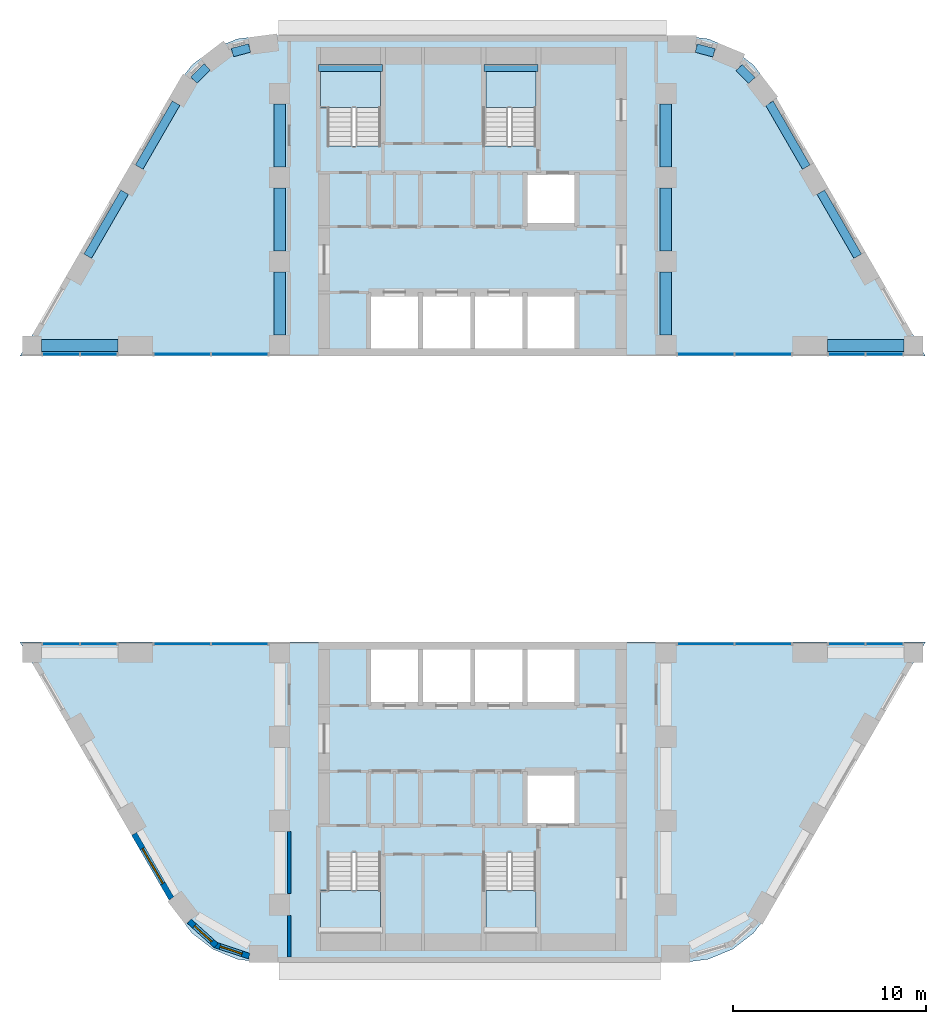
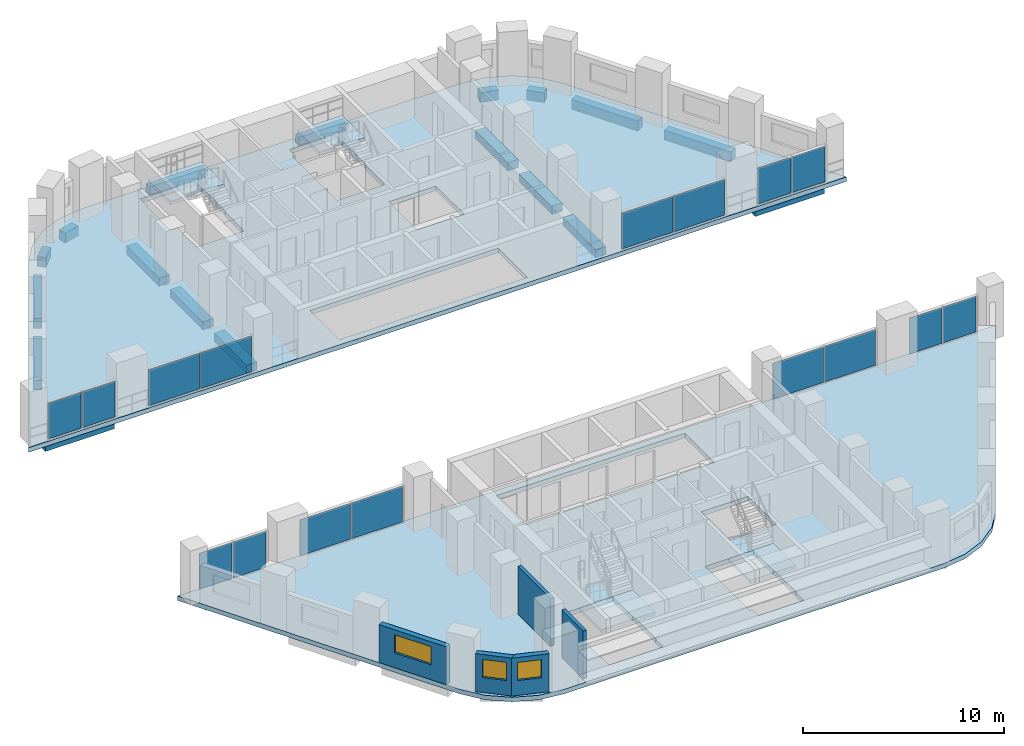
# One storey, part 4 of 11: 18 beams, 16 plates, 6 slabs, 5 walls, 3 windows, 3 openings, 12 elements without a shape of their own.
"""IFC4 building model written with IfcOpenShell, lengths in metres."""

from ifc_helpers import new_model, si_unit, direction, frame, frame_2d, origin, origin_2d, place, context, subcontext, project, spatial, polyline, rectangle, outline, extrude, material, layer, layer_set, material_profile, profile_set, type_object, element, fill, aggregate, save


model = new_model("IFC4")

# Units and contexts
model_context = context("Model", 3, precision=1e-05, world=origin(), true_north=direction((0.0, 1.0)))
body_context = subcontext(model_context, "Body", "Model", "MODEL_VIEW")
ifc_project = project(units=[si_unit("LENGTHUNIT", "METRE"), si_unit("AREAUNIT", "SQUARE_METRE"), si_unit("VOLUMEUNIT", "CUBIC_METRE"), si_unit("PLANEANGLEUNIT", "RADIAN"), si_unit("MASSUNIT", "GRAM", prefix="KILO")], contexts=[model_context])

# Site, building, storey
site_placement = place(None, origin())
site = spatial("IfcSite", under=ifc_project, at=site_placement, CompositionType="ELEMENT")
building_placement = place(site_placement, origin())
building = spatial("IfcBuilding", under=site, at=building_placement, Name="Nakaniwa Court", CompositionType="ELEMENT")
storey_placement = place(building_placement, frame((0.0, 0.0, 34.800048828125)))
storey = spatial("IfcBuildingStorey", under=building, at=storey_placement, Name="L08", CompositionType="ELEMENT", Elevation=34.800048828125)

# Beams
ifc_material_1 = material(Name="Concrete C100/115", Category="concrete")
ifc_material_profile_1 = material_profile(ifc_material_1, rectangle(XDim=0.449951171875, YDim=0.60009765625, at=origin_2d()), Name="Concrete C100/115 RC 450x600 spandrel beam")
ifc_profile_set_1 = profile_set([ifc_material_profile_1], Name="Concrete C100/115")
beam_type_1 = type_object("IfcBeamType", Name="Concrete C100/115 RC 450x600 spandrel beam", PredefinedType="BEAM", material=ifc_profile_set_1)
beam_1_placement = place(storey_placement, frame((68.444580078125, 103.35546875, -0.574951171875), z_axis=(-0.966287893493, -0.25746399144, 0.0), x_axis=(0.25746399144, -0.966287893493, 0.0)))
element("IfcBeam", 1, at=beam_1_placement, inside=storey, type_object=beam_type_1, Name="SPANDREL BEAM", PredefinedType="BEAM", context=body_context, shape_type="SweptSolid", body=[
    extrude(rectangle(XDim=0.449951171875, YDim=0.60009765625, at=origin_2d()), origin(), (0.0, 0.0, 1.0), 0.91796875),
])
beam_2_placement = place(storey_placement, frame((66.238525390625, 102.374267578125, -0.574951171875), z_axis=(-0.706081618928, -0.708130459317, 0.0), x_axis=(0.708130459317, -0.706081618928, 0.0)))
element("IfcBeam", 2, at=beam_2_placement, inside=storey, type_object=beam_type_1, Name="SPANDREL BEAM", PredefinedType="BEAM", context=body_context, shape_type="SweptSolid", body=[
    extrude(rectangle(XDim=0.449951171875, YDim=0.60009765625, at=origin_2d()), origin(), (0.0, 0.0, 1.0), 0.953369140625),
])
beam_3_placement = place(storey_placement, frame((64.642578125, 100.5, -0.574951171875), z_axis=(-0.500009674092, -0.866019818373, 0.0), x_axis=(0.866019818373, -0.500009674092, 0.0)))
element("IfcBeam", 3, at=beam_3_placement, inside=storey, type_object=beam_type_1, Name="SPANDREL BEAM", PredefinedType="BEAM", context=body_context, shape_type="SweptSolid", body=[
    extrude(rectangle(XDim=0.449951171875, YDim=0.60009765625, at=origin_2d()), origin(), (0.0, 0.0, 1.0), 3.826171875),
])
for number, where, z_axis, x_axis, name in (
    (4, (61.9794921875, 95.8876953125, -0.574951171875), (-0.499961815444, -0.866047448526, 0.0), (0.866047448526, -0.499961815444, 0.0), "SPANDREL BEAM"),
    (5, (99.933349609375, 92.57421875, -0.574951171875), (-0.499961815444, 0.866047448526, 0.0), (-0.866047448526, -0.499961815444, 0.0), "SPANDREL BEAM"),
):
    element("IfcBeam", number, at=place(storey_placement, frame(where, z_axis=z_axis, x_axis=x_axis)), inside=storey, type_object=beam_type_1, Name=name, PredefinedType="BEAM", context=body_context, shape_type="SweptSolid", body=[
        extrude(rectangle(XDim=0.449951171875, YDim=0.60009765625, at=origin_2d()), origin(), (0.0, 0.0, 1.0), 3.825927734375),
    ])
beam_4_placement = place(storey_placement, frame((97.2705078125, 97.1865234375, -0.574951171875), z_axis=(-0.500023067617, 0.86601208528, 0.0), x_axis=(-0.86601208528, -0.500023067617, 0.0)))
element("IfcBeam", 6, at=beam_4_placement, inside=storey, type_object=beam_type_1, Name="SPANDREL BEAM", PredefinedType="BEAM", context=body_context, shape_type="SweptSolid", body=[
    extrude(rectangle(XDim=0.449951171875, YDim=0.60009765625, at=origin_2d()), origin(), (0.0, 0.0, 1.0), 3.819580078125),
])
beam_5_placement = place(storey_placement, frame((94.448486328125, 101.68505859375, -0.574951171875), z_axis=(-0.705908410536, 0.708303124329, 0.0), x_axis=(-0.708303124329, -0.705908410536, 0.0)))
element("IfcBeam", 7, at=beam_5_placement, inside=storey, type_object=beam_type_1, Name="SPANDREL BEAM", PredefinedType="BEAM", context=body_context, shape_type="SweptSolid", body=[
    extrude(rectangle(XDim=0.449951171875, YDim=0.60009765625, at=origin_2d()), origin(), (0.0, 0.0, 1.0), 0.91748046875),
])
beam_6_placement = place(storey_placement, frame((92.49609375, 103.10498046875, -0.574951171875), z_axis=(-0.966324126494, 0.257327966912, 0.0), x_axis=(-0.257327966912, -0.966324126494, 0.0)))
element("IfcBeam", 8, at=beam_6_placement, inside=storey, type_object=beam_type_1, Name="SPANDREL BEAM", PredefinedType="BEAM", context=body_context, shape_type="SweptSolid", body=[
    extrude(rectangle(XDim=0.449951171875, YDim=0.60009765625, at=origin_2d()), origin(), (0.0, 0.0, 1.0), 0.95361328125),
])
ifc_material_profile_2 = material_profile(ifc_material_1, rectangle(XDim=0.60009765625, YDim=0.5, at=origin_2d()), Name="Concrete C100/115 RC 600x500 ring beam")
ifc_profile_set_2 = profile_set([ifc_material_profile_2], Name="Concrete C100/115")
beam_type_2 = type_object("IfcBeamType", Name="Concrete C100/115 RC 600x500 ring beam", PredefinedType="BEAM", material=ifc_profile_set_2)
for number, where, z_axis, x_axis, name in (
    (9, (90.0, 88.5, -0.525146484375), (0.0, 1.0, 0.0), (-1.0, 0.0, 0.0), "RING BEAM"),
    (10, (90.0, 92.85009765625, -0.525146484375), (0.0, 1.0, 0.0), (-1.0, 0.0, 0.0), "RING BEAM"),
    (11, (90.0, 97.199951171875, -0.525146484375), (0.0, 1.0, 0.0), (-1.0, 0.0, 0.0), "RING BEAM"),
    (12, (70.0, 100.449951171875, -0.525146484375), (0.0, -1.0, 0.0), (1.0, 0.0, 0.0), "RING BEAM"),
    (13, (70.0, 96.10009765625, -0.525146484375), (0.0, -1.0, 0.0), (1.0, 0.0, 0.0), "RING BEAM"),
    (14, (70.0, 91.75, -0.525146484375), (0.0, -1.0, 0.0), (1.0, 0.0, 0.0), "RING BEAM"),
):
    element("IfcBeam", number, at=place(storey_placement, frame(where, z_axis=z_axis, x_axis=x_axis)), inside=storey, type_object=beam_type_2, Name=name, PredefinedType="BEAM", context=body_context, shape_type="SweptSolid", body=[
        extrude(rectangle(XDim=0.60009765625, YDim=0.5, at=origin_2d()), origin(), (0.0, 0.0, 1.0), 3.25),
    ])
for number, where, z_axis, x_axis, name in (
    (15, (57.677001953125, 87.949951171875, -0.525146484375), (1.0, 0.0, 0.0), (0.0, 1.0, 0.0), "RING BEAM"),
    (16, (98.35791015625, 87.949951171875, -0.525146484375), (1.0, 0.0, 0.0), (0.0, 1.0, 0.0), "RING BEAM"),
):
    element("IfcBeam", number, at=place(storey_placement, frame(where, z_axis=z_axis, x_axis=x_axis)), inside=storey, type_object=beam_type_2, Name=name, PredefinedType="BEAM", context=body_context, shape_type="SweptSolid", body=[
        extrude(rectangle(XDim=0.60009765625, YDim=0.5, at=origin_2d()), origin(), (0.0, 0.0, 1.0), 3.965087890625),
    ])
ifc_material_2 = material(Name="Concrete C80/100", Category="concrete")
ifc_material_profile_3 = material_profile(ifc_material_2, rectangle(XDim=0.35009765625, YDim=0.5, at=origin_2d()), Name="Concrete C80/100 RC 350x500 landing ledge beam")
ifc_profile_set_3 = profile_set([ifc_material_profile_3], Name="Concrete C80/100")
beam_type_3 = type_object("IfcBeamType", Name="Concrete C80/100 RC 350x500 landing ledge beam", PredefinedType="BEAM", material=ifc_profile_set_3)
beam_7_placement = place(storey_placement, frame((72.02490234375, 102.324951171875, 1.199951171875), z_axis=(1.0, 0.0, 0.0), x_axis=(0.0, 1.0, 0.0)))
element("IfcBeam", 17, at=beam_7_placement, inside=storey, type_object=beam_type_3, Name="LANDING LEDGE BEAM", PredefinedType="BEAM", context=body_context, shape_type="SweptSolid", body=[
    extrude(rectangle(XDim=0.35009765625, YDim=0.5, at=origin_2d()), origin(), (0.0, 0.0, 1.0), 3.300048828125),
])
beam_8_placement = place(storey_placement, frame((80.574951171875, 102.324951171875, 1.199951171875), z_axis=(1.0, 0.0, 0.0), x_axis=(0.0, 1.0, 0.0)))
element("IfcBeam", 18, at=beam_8_placement, inside=storey, type_object=beam_type_3, Name="LANDING LEDGE BEAM", PredefinedType="BEAM", context=body_context, shape_type="SweptSolid", body=[
    extrude(rectangle(XDim=0.35009765625, YDim=0.5, at=origin_2d()), origin(), (0.0, 0.0, 1.0), 2.800048828125),
])

# Slabs
ifc_layer_1 = layer(ifc_material_1, 0.27490234375)
ifc_layer_set_1 = layer_set([ifc_layer_1], Name="Concrete C100/115")
slab_type_1 = type_object("IfcSlabType", Name="Concrete C100/115 post tensioned floor slab 275", PredefinedType="FLOOR", material=ifc_layer_set_1)
slab_1_placement = place(storey_placement, frame((0.0, 0.0, -0.275146484375)))
element("IfcSlab", 19, at=slab_1_placement, inside=storey, type_object=slab_type_1, Name="FLOOR SLAB", PredefinedType="FLOOR", context=body_context, shape_type="SweptSolid", body=[
    extrude(outline(polyline([(95.357421875, 58.60009765625), (103.4404296875, 72.60009765625), (56.5595703125, 72.60009765625), (64.642578125, 58.60009765625), (65.468994140625, 57.52294921875), (66.5458984375, 56.69677734375), (67.800048828125, 56.17724609375), (69.145751953125, 56.0), (90.854248046875, 56.0), (92.199951171875, 56.17724609375), (93.4541015625, 56.69677734375), (94.531005859375, 57.52294921875), (95.357421875, 58.60009765625)]), holes=[polyline([(75.22509765625, 57.324951171875), (75.22509765625, 57.4599609375), (75.264892578125, 57.4599609375), (75.264892578125, 59.764892578125), (75.22509765625, 59.764892578125), (75.22509765625, 61.7099609375), (72.47509765625, 61.7099609375), (72.47509765625, 59.764892578125), (72.0849609375, 59.764892578125), (72.0849609375, 57.4599609375), (72.125, 57.4599609375), (72.125, 56.72509765625), (75.22509765625, 56.72509765625), (75.22509765625, 57.324951171875)]), polyline([(74.60009765625, 69.300048828125), (77.300048828125, 69.300048828125), (80.0, 69.300048828125), (82.699951171875, 69.300048828125), (85.39990234375, 69.300048828125), (85.39990234375, 72.199951171875), (82.699951171875, 72.199951171875), (80.0, 72.199951171875), (77.300048828125, 72.199951171875), (74.60009765625, 72.199951171875), (74.60009765625, 69.300048828125)]), polyline([(83.27490234375, 57.324951171875), (83.27490234375, 57.4599609375), (83.31494140625, 57.4599609375), (83.31494140625, 59.764892578125), (83.27490234375, 59.764892578125), (83.27490234375, 61.7099609375), (80.52490234375, 61.7099609375), (80.52490234375, 57.324951171875), (80.675048828125, 57.324951171875), (80.675048828125, 56.72509765625), (83.27490234375, 56.72509765625), (83.27490234375, 57.324951171875)]), polyline([(82.699951171875, 63.10009765625), (85.39990234375, 63.10009765625), (85.39990234375, 65.89990234375), (82.699951171875, 65.89990234375), (82.699951171875, 63.10009765625)])]), origin(), (0.0, 0.0, 1.0), 0.275146484375),
])
slab_2_placement = place(storey_placement, frame((0.0, 0.0, -0.275146484375)))
element("IfcSlab", 20, at=slab_2_placement, inside=storey, type_object=slab_type_1, Name="FLOOR SLAB", PredefinedType="FLOOR", context=body_context, shape_type="SweptSolid", body=[
    extrude(outline(polyline([(64.642578125, 101.39990234375), (56.5595703125, 87.39990234375), (103.4404296875, 87.39990234375), (95.357421875, 101.39990234375), (94.531005859375, 102.47705078125), (93.4541015625, 103.30322265625), (92.199951171875, 103.82275390625), (90.854248046875, 104.0), (69.145751953125, 104.0), (67.800048828125, 103.82275390625), (66.5458984375, 103.30322265625), (65.468994140625, 102.47705078125), (64.642578125, 101.39990234375)]), holes=[polyline([(74.60009765625, 87.800048828125), (77.300048828125, 87.800048828125), (80.0, 87.800048828125), (82.699951171875, 87.800048828125), (85.39990234375, 87.800048828125), (85.39990234375, 90.699951171875), (82.699951171875, 90.699951171875), (80.0, 90.699951171875), (77.300048828125, 90.699951171875), (74.60009765625, 90.699951171875), (74.60009765625, 87.800048828125)]), polyline([(75.22509765625, 98.2900390625), (75.22509765625, 100.235107421875), (75.264892578125, 100.235107421875), (75.264892578125, 102.5400390625), (75.22509765625, 102.5400390625), (75.22509765625, 102.675048828125), (75.22509765625, 103.27490234375), (72.125, 103.27490234375), (72.125, 102.5400390625), (72.0849609375, 102.5400390625), (72.0849609375, 100.235107421875), (72.47509765625, 100.235107421875), (72.47509765625, 98.2900390625), (75.22509765625, 98.2900390625)]), polyline([(82.699951171875, 94.10009765625), (85.39990234375, 94.10009765625), (85.39990234375, 96.89990234375), (82.699951171875, 96.89990234375), (82.699951171875, 94.10009765625)]), polyline([(80.52490234375, 98.2900390625), (83.27490234375, 98.2900390625), (83.27490234375, 100.235107421875), (83.31494140625, 100.235107421875), (83.31494140625, 102.5400390625), (83.27490234375, 102.5400390625), (83.27490234375, 102.675048828125), (83.27490234375, 103.27490234375), (80.675048828125, 103.27490234375), (80.675048828125, 102.675048828125), (80.52490234375, 102.675048828125), (80.52490234375, 98.2900390625)])]), origin(), (0.0, 0.0, 1.0), 0.275146484375),
])

# Curtain wall, plates
ifc_material_3 = material(Name="Black anodised aluminium frame with dark low-E laminated double glazing", Category="aluminium")
ifc_layer_2 = layer(ifc_material_3, 0.199951171875)
ifc_layer_set_2 = layer_set([ifc_layer_2], Name="Black anodised aluminium frame with dark low-E laminated double glazing")
curtain_wall_type = type_object("IfcCurtainWallType", Name="Portal side curtain wall", PredefinedType="NOTDEFINED", material=ifc_layer_set_2)
curtain_wall_1_placement = place(storey_placement, origin())
curtain_wall_1 = element("IfcCurtainWall", 21, at=curtain_wall_1_placement, inside=storey, type_object=curtain_wall_type, Name="L08 curtain wall CW5 02", PredefinedType="NOTDEFINED")
ifc_material_4 = material(Name="Dark toughened glass", Category="glass")
ifc_layer_3 = layer(ifc_material_4, 0.009, Name="Outer pane")
ifc_material_5 = material(Name="Argon filled cavity")
ifc_layer_4 = layer(ifc_material_5, 0.016, Name="Cavity")
ifc_material_6 = material(Name="Dark laminated safety glass", Category="glass")
ifc_layer_5 = layer(ifc_material_6, 0.009, Name="Inner pane")
ifc_layer_set_3 = layer_set([ifc_layer_3, ifc_layer_4, ifc_layer_5], Name="Dark low-E laminated double glazing")
plate_type = type_object("IfcPlateType", Name="Portal side curtain wall glass panel", PredefinedType="CURTAIN_PANEL", material=ifc_layer_set_3)
plate_1_placement = place(storey_placement, frame((101.31494140625, 72.5, 0.06494140625), z_axis=(0.0, 0.0, 1.0), x_axis=(-1.0, 0.0, 0.0)))
plate_1 = element("IfcPlate", 22, at=plate_1_placement, type_object=plate_type, Name="CW5 panel 1.1", PredefinedType="CURTAIN_PANEL", context=body_context, shape_type="SweptSolid", body=[
    extrude(rectangle(XDim=1.8740234375, YDim=0.033935546875, at=origin_2d()), origin(), (0.0, 0.0, 1.0), 2.169921875),
])
plate_2_placement = place(storey_placement, frame((99.365966796875, 72.5, 0.06494140625), z_axis=(0.0, 0.0, 1.0), x_axis=(-1.0, 0.0, 0.0)))
plate_2 = element("IfcPlate", 23, at=plate_2_placement, type_object=plate_type, Name="CW5 panel 2.1", PredefinedType="CURTAIN_PANEL", context=body_context, shape_type="SweptSolid", body=[
    extrude(rectangle(XDim=1.8740234375, YDim=0.033935546875, at=origin_2d()), origin(), (0.0, 0.0, 1.0), 2.169921875),
])
aggregate(curtain_wall_1, [plate_1, plate_2])

curtain_wall_2_placement = place(storey_placement, origin())
curtain_wall_2 = element("IfcCurtainWall", 24, at=curtain_wall_2_placement, inside=storey, type_object=curtain_wall_type, Name="L08 curtain wall CW5 03", PredefinedType="NOTDEFINED")
plate_3_placement = place(storey_placement, frame((95.039306640625, 72.5, 0.06494140625), z_axis=(0.0, 0.0, 1.0), x_axis=(-1.0, 0.0, 0.0)))
plate_3 = element("IfcPlate", 25, at=plate_3_placement, type_object=plate_type, Name="CW5 panel 1.1", PredefinedType="CURTAIN_PANEL", context=body_context, shape_type="SweptSolid", body=[
    extrude(rectangle(XDim=2.8955078125, YDim=0.033935546875, at=origin_2d()), origin(), (0.0, 0.0, 1.0), 2.169921875),
])
plate_4_placement = place(storey_placement, frame((92.06884765625, 72.5, 0.06494140625), z_axis=(0.0, 0.0, 1.0), x_axis=(-1.0, 0.0, 0.0)))
plate_4 = element("IfcPlate", 26, at=plate_4_placement, type_object=plate_type, Name="CW5 panel 2.1", PredefinedType="CURTAIN_PANEL", context=body_context, shape_type="SweptSolid", body=[
    extrude(rectangle(XDim=2.8955078125, YDim=0.033935546875, at=origin_2d()), origin(), (0.0, 0.0, 1.0), 2.169921875),
])
aggregate(curtain_wall_2, [plate_3, plate_4])

curtain_wall_3_placement = place(storey_placement, origin())
curtain_wall_3 = element("IfcCurtainWall", 27, at=curtain_wall_3_placement, inside=storey, type_object=curtain_wall_type, Name="L08 curtain wall CW5 04", PredefinedType="NOTDEFINED")
plate_5_placement = place(storey_placement, frame((67.93115234375, 72.5, 0.06494140625), z_axis=(0.0, 0.0, 1.0), x_axis=(-1.0, 0.0, 0.0)))
plate_5 = element("IfcPlate", 28, at=plate_5_placement, type_object=plate_type, Name="CW5 panel 1.1", PredefinedType="CURTAIN_PANEL", context=body_context, shape_type="SweptSolid", body=[
    extrude(rectangle(XDim=2.8955078125, YDim=0.033935546875, at=origin_2d()), origin(), (0.0, 0.0, 1.0), 2.169921875),
])
plate_6_placement = place(storey_placement, frame((64.960693359375, 72.5, 0.06494140625), z_axis=(0.0, 0.0, 1.0), x_axis=(-1.0, 0.0, 0.0)))
plate_6 = element("IfcPlate", 29, at=plate_6_placement, type_object=plate_type, Name="CW5 panel 2.1", PredefinedType="CURTAIN_PANEL", context=body_context, shape_type="SweptSolid", body=[
    extrude(rectangle(XDim=2.8955078125, YDim=0.033935546875, at=origin_2d()), origin(), (0.0, 0.0, 1.0), 2.169921875),
])
aggregate(curtain_wall_3, [plate_5, plate_6])

curtain_wall_4_placement = place(storey_placement, origin())
curtain_wall_4 = element("IfcCurtainWall", 30, at=curtain_wall_4_placement, inside=storey, type_object=curtain_wall_type, Name="L08 curtain wall CW5 05", PredefinedType="NOTDEFINED")
plate_7_placement = place(storey_placement, frame((60.634033203125, 72.5, 0.06494140625), z_axis=(0.0, 0.0, 1.0), x_axis=(-1.0, 0.0, 0.0)))
plate_7 = element("IfcPlate", 31, at=plate_7_placement, type_object=plate_type, Name="CW5 panel 1.1", PredefinedType="CURTAIN_PANEL", context=body_context, shape_type="SweptSolid", body=[
    extrude(rectangle(XDim=1.8740234375, YDim=0.033935546875, at=origin_2d()), origin(), (0.0, 0.0, 1.0), 2.169921875),
])
plate_8_placement = place(storey_placement, frame((58.68505859375, 72.5, 0.06494140625), z_axis=(0.0, 0.0, 1.0), x_axis=(-1.0, 0.0, 0.0)))
plate_8 = element("IfcPlate", 32, at=plate_8_placement, type_object=plate_type, Name="CW5 panel 2.1", PredefinedType="CURTAIN_PANEL", context=body_context, shape_type="SweptSolid", body=[
    extrude(rectangle(XDim=1.8740234375, YDim=0.033935546875, at=origin_2d()), origin(), (0.0, 0.0, 1.0), 2.169921875),
])
aggregate(curtain_wall_4, [plate_7, plate_8])

curtain_wall_5_placement = place(storey_placement, origin())
curtain_wall_5 = element("IfcCurtainWall", 33, at=curtain_wall_5_placement, inside=storey, type_object=curtain_wall_type, Name="L08 curtain wall CW5 17", PredefinedType="NOTDEFINED")
plate_9_placement = place(storey_placement, frame((58.68505859375, 87.5, 0.06494140625), z_axis=(0.0, 0.0, 1.0), x_axis=(1.0, 0.0, 0.0)))
plate_9 = element("IfcPlate", 34, at=plate_9_placement, type_object=plate_type, Name="CW5 panel 1.1", PredefinedType="CURTAIN_PANEL", context=body_context, shape_type="SweptSolid", body=[
    extrude(rectangle(XDim=1.8740234375, YDim=0.033935546875, at=origin_2d()), origin(), (0.0, 0.0, 1.0), 2.169921875),
])
plate_10_placement = place(storey_placement, frame((60.634033203125, 87.5, 0.06494140625), z_axis=(0.0, 0.0, 1.0), x_axis=(1.0, 0.0, 0.0)))
plate_10 = element("IfcPlate", 35, at=plate_10_placement, type_object=plate_type, Name="CW5 panel 2.1", PredefinedType="CURTAIN_PANEL", context=body_context, shape_type="SweptSolid", body=[
    extrude(rectangle(XDim=1.8740234375, YDim=0.033935546875, at=origin_2d()), origin(), (0.0, 0.0, 1.0), 2.169921875),
])
aggregate(curtain_wall_5, [plate_9, plate_10])

curtain_wall_6_placement = place(storey_placement, origin())
curtain_wall_6 = element("IfcCurtainWall", 36, at=curtain_wall_6_placement, inside=storey, type_object=curtain_wall_type, Name="L08 curtain wall CW5 18", PredefinedType="NOTDEFINED")
plate_11_placement = place(storey_placement, frame((64.960693359375, 87.5, 0.06494140625), z_axis=(0.0, 0.0, 1.0), x_axis=(1.0, 0.0, 0.0)))
plate_11 = element("IfcPlate", 37, at=plate_11_placement, type_object=plate_type, Name="CW5 panel 1.1", PredefinedType="CURTAIN_PANEL", context=body_context, shape_type="SweptSolid", body=[
    extrude(rectangle(XDim=2.8955078125, YDim=0.033935546875, at=origin_2d()), origin(), (0.0, 0.0, 1.0), 2.169921875),
])
plate_12_placement = place(storey_placement, frame((67.93115234375, 87.5, 0.06494140625), z_axis=(0.0, 0.0, 1.0), x_axis=(1.0, 0.0, 0.0)))
plate_12 = element("IfcPlate", 38, at=plate_12_placement, type_object=plate_type, Name="CW5 panel 2.1", PredefinedType="CURTAIN_PANEL", context=body_context, shape_type="SweptSolid", body=[
    extrude(rectangle(XDim=2.8955078125, YDim=0.033935546875, at=origin_2d()), origin(), (0.0, 0.0, 1.0), 2.169921875),
])
aggregate(curtain_wall_6, [plate_11, plate_12])

curtain_wall_7_placement = place(storey_placement, origin())
curtain_wall_7 = element("IfcCurtainWall", 39, at=curtain_wall_7_placement, inside=storey, type_object=curtain_wall_type, Name="L08 curtain wall CW5 19", PredefinedType="NOTDEFINED")
plate_13_placement = place(storey_placement, frame((92.06884765625, 87.5, 0.06494140625), z_axis=(0.0, 0.0, 1.0), x_axis=(1.0, 0.0, 0.0)))
plate_13 = element("IfcPlate", 40, at=plate_13_placement, type_object=plate_type, Name="CW5 panel 1.1", PredefinedType="CURTAIN_PANEL", context=body_context, shape_type="SweptSolid", body=[
    extrude(rectangle(XDim=2.8955078125, YDim=0.033935546875, at=origin_2d()), origin(), (0.0, 0.0, 1.0), 2.169921875),
])
plate_14_placement = place(storey_placement, frame((95.039306640625, 87.5, 0.06494140625), z_axis=(0.0, 0.0, 1.0), x_axis=(1.0, 0.0, 0.0)))
plate_14 = element("IfcPlate", 41, at=plate_14_placement, type_object=plate_type, Name="CW5 panel 2.1", PredefinedType="CURTAIN_PANEL", context=body_context, shape_type="SweptSolid", body=[
    extrude(rectangle(XDim=2.8955078125, YDim=0.033935546875, at=origin_2d()), origin(), (0.0, 0.0, 1.0), 2.169921875),
])
aggregate(curtain_wall_7, [plate_13, plate_14])

curtain_wall_8_placement = place(storey_placement, origin())
curtain_wall_8 = element("IfcCurtainWall", 42, at=curtain_wall_8_placement, inside=storey, type_object=curtain_wall_type, Name="L08 curtain wall CW5 20", PredefinedType="NOTDEFINED")
plate_15_placement = place(storey_placement, frame((99.365966796875, 87.5, 0.06494140625), z_axis=(0.0, 0.0, 1.0), x_axis=(1.0, 0.0, 0.0)))
plate_15 = element("IfcPlate", 43, at=plate_15_placement, type_object=plate_type, Name="CW5 panel 1.1", PredefinedType="CURTAIN_PANEL", context=body_context, shape_type="SweptSolid", body=[
    extrude(rectangle(XDim=1.8740234375, YDim=0.033935546875, at=origin_2d()), origin(), (0.0, 0.0, 1.0), 2.169921875),
])
plate_16_placement = place(storey_placement, frame((101.31494140625, 87.5, 0.06494140625), z_axis=(0.0, 0.0, 1.0), x_axis=(1.0, 0.0, 0.0)))
plate_16 = element("IfcPlate", 44, at=plate_16_placement, type_object=plate_type, Name="CW5 panel 2.1", PredefinedType="CURTAIN_PANEL", context=body_context, shape_type="SweptSolid", body=[
    extrude(rectangle(XDim=1.8740234375, YDim=0.033935546875, at=origin_2d()), origin(), (0.0, 0.0, 1.0), 2.169921875),
])
aggregate(curtain_wall_8, [plate_15, plate_16])

# Stair, slab
stair_type = type_object("IfcStairType", Name="Dog leg stair 1300 wide 18 risers", PredefinedType="HALF_TURN_STAIR", material=ifc_material_2)
stair_1_placement = place(storey_placement, origin())
stair_1 = element("IfcStair", 45, at=stair_1_placement, inside=storey, type_object=stair_type, Name="L08 Stair ST1", PredefinedType="HALF_TURN_STAIR")
ifc_layer_6 = layer(ifc_material_2, 0.199951171875)
ifc_layer_set_4 = layer_set([ifc_layer_6], Name="Concrete C80/100")
slab_type_2 = type_object("IfcSlabType", Name="Stair landing concrete", PredefinedType="LANDING", material=ifc_layer_set_4)
slab_3_placement = place(storey_placement, frame((0.0, 0.0, 1.449951171875)))
slab_3 = element("IfcSlab", 46, at=slab_3_placement, type_object=slab_type_2, Name="ST1 landing 1", PredefinedType="LANDING", context=body_context, shape_type="SweptSolid", body=[
    extrude(outline(polyline([(75.22509765625, 100.27490234375), (75.22509765625, 102.5), (72.125, 102.5), (72.125, 100.27490234375), (75.22509765625, 100.27490234375)])), origin(), (0.0, 0.0, 1.0), 0.199951171875),
])
aggregate(stair_1, [slab_3])

stair_2_placement = place(storey_placement, origin())
stair_2 = element("IfcStair", 47, at=stair_2_placement, inside=storey, type_object=stair_type, Name="L08 Stair ST2", PredefinedType="HALF_TURN_STAIR")
slab_4_placement = place(storey_placement, frame((0.0, 0.0, 1.449951171875)))
slab_4 = element("IfcSlab", 48, at=slab_4_placement, type_object=slab_type_2, Name="ST2 landing 1", PredefinedType="LANDING", context=body_context, shape_type="SweptSolid", body=[
    extrude(outline(polyline([(83.27490234375, 100.27490234375), (83.27490234375, 102.5), (80.675048828125, 102.5), (80.675048828125, 100.27490234375), (83.27490234375, 100.27490234375)])), origin(), (0.0, 0.0, 1.0), 0.199951171875),
])
aggregate(stair_2, [slab_4])

stair_3_placement = place(storey_placement, origin())
stair_3 = element("IfcStair", 49, at=stair_3_placement, inside=storey, type_object=stair_type, Name="L08 Stair ST3", PredefinedType="HALF_TURN_STAIR")
slab_5_placement = place(storey_placement, frame((0.0, 0.0, 1.449951171875)))
slab_5 = element("IfcSlab", 50, at=slab_5_placement, type_object=slab_type_2, Name="ST3 landing 1", PredefinedType="LANDING", context=body_context, shape_type="SweptSolid", body=[
    extrude(outline(polyline([(75.22509765625, 57.5), (75.22509765625, 59.72509765625), (72.125, 59.72509765625), (72.125, 57.5), (75.22509765625, 57.5)])), origin(), (0.0, 0.0, 1.0), 0.199951171875),
])
aggregate(stair_3, [slab_5])

stair_4_placement = place(storey_placement, origin())
stair_4 = element("IfcStair", 51, at=stair_4_placement, inside=storey, type_object=stair_type, Name="L08 Stair ST4", PredefinedType="HALF_TURN_STAIR")
slab_6_placement = place(storey_placement, frame((0.0, 0.0, 1.449951171875)))
slab_6 = element("IfcSlab", 52, at=slab_6_placement, type_object=slab_type_2, Name="ST4 landing 1", PredefinedType="LANDING", context=body_context, shape_type="SweptSolid", body=[
    extrude(outline(polyline([(83.27490234375, 57.5), (83.27490234375, 59.72509765625), (80.675048828125, 59.72509765625), (80.675048828125, 57.5), (83.27490234375, 57.5)])), origin(), (0.0, 0.0, 1.0), 0.199951171875),
])
aggregate(stair_4, [slab_6])

# Walls
ifc_material_7 = material(Name="Acoustic double stud partition")
ifc_layer_7 = layer(ifc_material_7, 0.199951171875)
ifc_layer_set_5 = layer_set([ifc_layer_7], Name="Acoustic double stud partition")
wall_type_1 = type_object("IfcWallType", Name="Acoustic double stud partition 200", PredefinedType="PARTITIONING", material=ifc_layer_set_5)
wall_1_placement = place(storey_placement, frame((70.5, 56.300048828125, 0.0), z_axis=(0.0, 0.0, 1.0), x_axis=(0.0, 1.0, 0.0)))
element("IfcWall", 53, at=wall_1_placement, inside=storey, type_object=wall_type_1, Name="Partition PW-079", PredefinedType="PARTITIONING", context=body_context, shape_type="SweptSolid", body=[
    extrude(rectangle(XDim=2.133056640625, YDim=0.199951171875, at=frame_2d((1.06640625, 0.0))), origin(), (0.0, 0.0, 1.0), 2.89990234375),
])
wall_2_placement = place(storey_placement, frame((70.5, 59.56689453125, 0.0), z_axis=(0.0, 0.0, 1.0), x_axis=(0.0, 1.0, 0.0)))
element("IfcWall", 54, at=wall_2_placement, inside=storey, type_object=wall_type_1, Name="Partition PW-080", PredefinedType="PARTITIONING", context=body_context, shape_type="SweptSolid", body=[
    extrude(rectangle(XDim=3.216064453125, YDim=0.199951171875, at=frame_2d((1.60791015625, 0.0))), origin(), (0.0, 0.0, 1.0), 2.89990234375),
])

# Wall, opening, window
ifc_material_8 = material(Name="Charcoal ceramic cladding")
ifc_layer_8 = layer(ifc_material_8, 0.02, Name="Ceramic cladding")
ifc_material_9 = material(Name="Ventilated air cavity")
ifc_layer_9 = layer(ifc_material_9, 0.04, ventilated=True, Name="Ventilated cavity")
ifc_material_10 = material(Name="Mineral wool insulation")
ifc_layer_10 = layer(ifc_material_10, 0.1, Name="Insulation")
ifc_material_11 = material(Name="Cement bonded sheathing board")
ifc_layer_11 = layer(ifc_material_11, 0.012, Name="Sheathing")
ifc_material_12 = material(Name="Cold-formed galvanised stud frame with mineral wool infill")
ifc_layer_12 = layer(ifc_material_12, 0.1, Name="Stud frame")
ifc_material_13 = material(Name="Fire-rated gypsum plasterboard lining")
ifc_layer_13 = layer(ifc_material_13, 0.028, Name="Lining")
ifc_layer_set_6 = layer_set([ifc_layer_8, ifc_layer_9, ifc_layer_10, ifc_layer_11, ifc_layer_12, ifc_layer_13], Name="Charcoal ceramic faced external wall system")
wall_type_2 = type_object("IfcWallType", Name="Black ceramic faced external wall 300", PredefinedType="SOLIDWALL", material=ifc_layer_set_6)
wall_3_placement = place(storey_placement, frame((62.4677734375, 62.6669921875, 0.0), z_axis=(0.0, 0.0, 1.0), x_axis=(0.499948341072, -0.866055227026, 0.0)))
wall_3 = element("IfcWall", 55, at=wall_3_placement, inside=storey, type_object=wall_type_2, Name="L08 external wall 08", PredefinedType="SOLIDWALL", context=body_context, shape_type="SweptSolid", body=[
    extrude(rectangle(XDim=3.8671875, YDim=0.300048828125, at=frame_2d((1.93359375, 0.0))), origin(), (0.0, 0.0, 1.0), 2.300048828125),
])
opening_1_placement = place(wall_3_placement, frame((0.872314453125, 0.0, 0.89990234375)))
opening_1 = element("IfcOpeningElement", 56, at=opening_1_placement, cuts=wall_3, Name="Opening W7.05", PredefinedType="OPENING", context=body_context, shape_type="SweptSolid", body=[
    extrude(rectangle(XDim=2.10009765625, YDim=1.10009765625, at=frame_2d((1.050048828125, 0.550048828125))), frame((0.0, 0.159912109375, 0.0), z_axis=(0.0, -1.0, 0.0), x_axis=(1.0, 0.0, 0.0)), (0.0, 0.0, 1.0), 0.320068359375),
])
window_type_1 = type_object("IfcWindowType", Name="Dark glass window 2100x1100 sill 900", PartitioningType="SINGLE_PANEL", PredefinedType="WINDOW", material=ifc_material_3)
window_1_placement = place(opening_1_placement, origin())
window_1 = element("IfcWindow", 57, at=window_1_placement, inside=storey, type_object=window_type_1, Name="L08 habitable room window 08-0", OverallHeight=1.10009765625, OverallWidth=2.10009765625, PartitioningType="SINGLE_PANEL", PredefinedType="WINDOW", context=body_context, shape_type="SweptSolid", body=[
    extrude(rectangle(XDim=2.10009765625, YDim=1.10009765625, at=frame_2d((1.050048828125, 0.550048828125))), frame((0.0, 0.030029296875, 0.0), z_axis=(0.0, -1.0, 0.0), x_axis=(1.0, 0.0, 0.0)), (0.0, 0.0, 1.0), 0.06005859375),
])
fill(opening_1, window_1)

wall_4_placement = place(storey_placement, frame((65.3203125, 58.142578125, 0.0), z_axis=(0.0, 0.0, 1.0), x_axis=(0.7435526378, -0.668677407141, 0.0)))
wall_4 = element("IfcWall", 58, at=wall_4_placement, inside=storey, type_object=wall_type_2, Name="L08 external wall 09", PredefinedType="SOLIDWALL", context=body_context, shape_type="SweptSolid", body=[
    extrude(rectangle(XDim=1.878173828125, YDim=0.300048828125, at=frame_2d((0.93896484375, 0.0))), origin(), (0.0, 0.0, 1.0), 2.300048828125),
])
opening_2_placement = place(wall_4_placement, frame((0.366943359375, 0.0, 0.89990234375)))
opening_2 = element("IfcOpeningElement", 59, at=opening_2_placement, cuts=wall_4, Name="Opening W6.06", PredefinedType="OPENING", context=body_context, shape_type="SweptSolid", body=[
    extrude(rectangle(XDim=1.199951171875, YDim=1.10009765625, at=frame_2d((0.60009765625, 0.550048828125))), frame((0.0, 0.159912109375, 0.0), z_axis=(0.0, -1.0, 0.0), x_axis=(1.0, 0.0, 0.0)), (0.0, 0.0, 1.0), 0.320068359375),
])
window_type_2 = type_object("IfcWindowType", Name="Dark glass window 1200x1100 sill 900", PartitioningType="SINGLE_PANEL", PredefinedType="WINDOW", material=ifc_material_3)
window_2_placement = place(opening_2_placement, origin())
window_2 = element("IfcWindow", 60, at=window_2_placement, inside=storey, type_object=window_type_2, Name="L08 habitable room window 09-0", OverallHeight=1.10009765625, OverallWidth=1.199951171875, PartitioningType="SINGLE_PANEL", PredefinedType="WINDOW", context=body_context, shape_type="SweptSolid", body=[
    extrude(rectangle(XDim=1.199951171875, YDim=1.10009765625, at=frame_2d((0.60009765625, 0.550048828125))), frame((0.0, 0.030029296875, 0.0), z_axis=(0.0, -1.0, 0.0), x_axis=(1.0, 0.0, 0.0)), (0.0, 0.0, 1.0), 0.06005859375),
])
fill(opening_2, window_2)

wall_5_placement = place(storey_placement, frame((66.6240234375, 56.932861328125, 0.0), z_axis=(0.0, 0.0, 1.0), x_axis=(0.949246659442, -0.314532636683, 0.0)))
wall_5 = element("IfcWall", 61, at=wall_5_placement, inside=storey, type_object=wall_type_2, Name="L08 external wall 10", PredefinedType="SOLIDWALL", context=body_context, shape_type="SweptSolid", body=[
    extrude(rectangle(XDim=1.901611328125, YDim=0.300048828125, at=frame_2d((0.95068359375, 0.0))), origin(), (0.0, 0.0, 1.0), 2.300048828125),
])
opening_3_placement = place(wall_5_placement, frame((0.31005859375, 0.0, 0.89990234375)))
opening_3 = element("IfcOpeningElement", 62, at=opening_3_placement, cuts=wall_5, Name="Opening W6.07", PredefinedType="OPENING", context=body_context, shape_type="SweptSolid", body=[
    extrude(rectangle(XDim=1.199951171875, YDim=1.10009765625, at=frame_2d((0.60009765625, 0.550048828125))), frame((0.0, 0.159912109375, 0.0), z_axis=(0.0, -1.0, 0.0), x_axis=(1.0, 0.0, 0.0)), (0.0, 0.0, 1.0), 0.320068359375),
])
window_3_placement = place(opening_3_placement, origin())
window_3 = element("IfcWindow", 63, at=window_3_placement, inside=storey, type_object=window_type_2, Name="L08 habitable room window 10-0", OverallHeight=1.10009765625, OverallWidth=1.199951171875, PartitioningType="SINGLE_PANEL", PredefinedType="WINDOW", context=body_context, shape_type="SweptSolid", body=[
    extrude(rectangle(XDim=1.199951171875, YDim=1.10009765625, at=frame_2d((0.60009765625, 0.550048828125))), frame((0.0, 0.030029296875, 0.0), z_axis=(0.0, -1.0, 0.0), x_axis=(1.0, 0.0, 0.0)), (0.0, 0.0, 1.0), 0.06005859375),
])
fill(opening_3, window_3)

save(model, "model.ifc")
